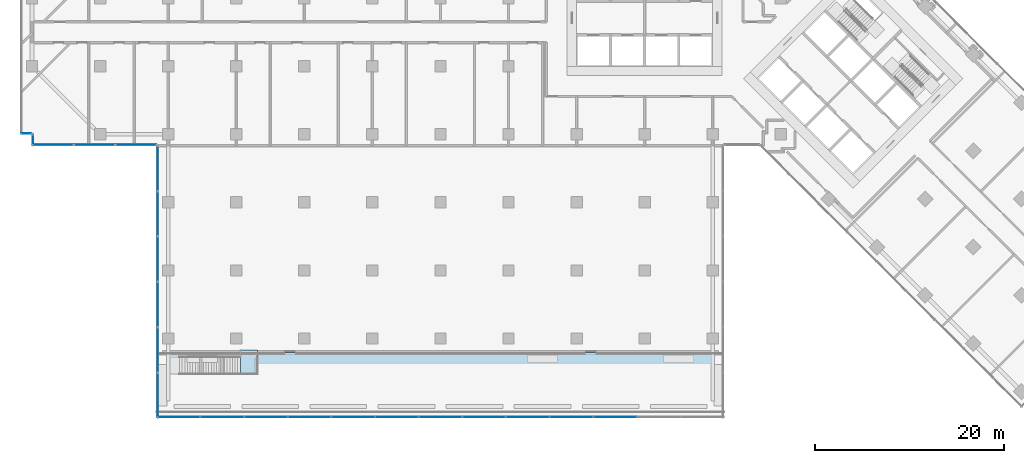
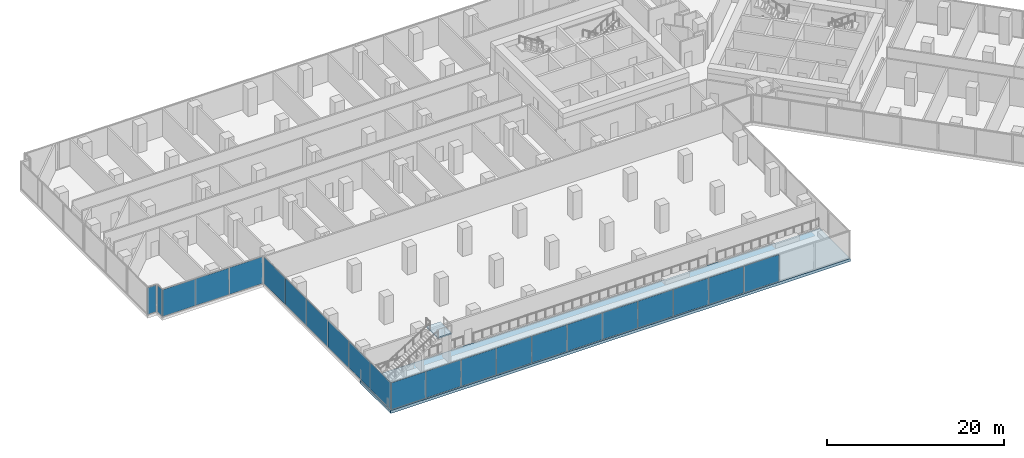
# One storey, part 15 of 27: 22 plates, 2 slabs, 6 elements without a shape of their own.
"""IFC4 building model written with IfcOpenShell, lengths in metres."""

from ifc_helpers import new_model, si_unit, direction, frame, origin, origin_2d, place, context, subcontext, project, spatial, polyline, rectangle, outline, extrude, material, layer, layer_set, type_object, element, aggregate, save


model = new_model("IFC4")

# Units and contexts
model_context = context("Model", 3, precision=1e-05, world=origin(), true_north=direction((0.0, 1.0)))
body_context = subcontext(model_context, "Body", "Model", "MODEL_VIEW")
ifc_project = project(units=[si_unit("LENGTHUNIT", "METRE"), si_unit("AREAUNIT", "SQUARE_METRE"), si_unit("VOLUMEUNIT", "CUBIC_METRE"), si_unit("PLANEANGLEUNIT", "RADIAN"), si_unit("MASSUNIT", "GRAM", prefix="KILO")], contexts=[model_context])

# Site, building, storey
site_placement = place(None, origin())
site = spatial("IfcSite", under=ifc_project, at=site_placement, CompositionType="ELEMENT")
building_placement = place(site_placement, origin())
building = spatial("IfcBuilding", under=site, at=building_placement, Name="Windrow Commons", CompositionType="ELEMENT")
storey_placement = place(building_placement, frame((0.0, 0.0, 6.0)))
storey = spatial("IfcBuildingStorey", under=building, at=storey_placement, Name="L01", CompositionType="ELEMENT", Elevation=6.0)

# Curtain wall, plate
ifc_material_1 = material(Name="Clear laminated glass in Aluminium 6063-T6 anodised frame", Category="aluminium")
curtain_wall_type = type_object("IfcCurtainWallType", Name="Curtain wall CW1 podium study hall", PredefinedType="USERDEFINED", material=ifc_material_1)
placement = place(storey_placement, origin())
curtain_wall_1 = element("IfcCurtainWall", 1, at=placement, inside=storey, type_object=curtain_wall_type, Name="Curtain wall CW1 L01 9", ObjectType="STICK", PredefinedType="USERDEFINED")
ifc_material_2 = material(Name="Clear laminated glass", Category="glass")
ifc_layer_1 = layer(ifc_material_2, 0.032)
ifc_layer_set_1 = layer_set([ifc_layer_1], Name="CW1 panel glass 32")
plate_type = type_object("IfcPlateType", Name="CW1 panel glass 32", PredefinedType="CURTAIN_PANEL", material=ifc_layer_set_1)
plate_1_placement = place(storey_placement, frame((-0.6, 43.3, 0.06), z_axis=(0.0, 0.0, 1.0), x_axis=(1.0, 0.0, 0.0)))
plate_1 = element("IfcPlate", 2, at=plate_1_placement, type_object=plate_type, Name="CW1 panel 1.1", PredefinedType="CURTAIN_PANEL", context=body_context, shape_type="SweptSolid", body=[
    extrude(rectangle(XDim=1.08, YDim=0.032, at=origin_2d()), origin(), (0.0, 0.0, 1.0), 3.68),
])
aggregate(curtain_wall_1, [plate_1])

curtain_wall_2 = element("IfcCurtainWall", 3, at=placement, inside=storey, type_object=curtain_wall_type, Name="Curtain wall CW1 L01 10", ObjectType="STICK", PredefinedType="USERDEFINED")
plate_2_placement = place(storey_placement, frame((0.1, 42.6, 0.06), z_axis=(0.0, 0.0, 1.0), x_axis=(0.0, -1.0, 0.0)))
plate_2 = element("IfcPlate", 4, at=plate_2_placement, type_object=plate_type, Name="CW1 panel 1.1", PredefinedType="CURTAIN_PANEL", context=body_context, shape_type="SweptSolid", body=[
    extrude(rectangle(XDim=1.08, YDim=0.032, at=origin_2d()), origin(), (0.0, 0.0, 1.0), 3.68),
])
aggregate(curtain_wall_2, [plate_2])

# Curtain wall, plates
curtain_wall_3 = element("IfcCurtainWall", 5, at=placement, inside=storey, type_object=curtain_wall_type, Name="Curtain wall CW1 L01 11", ObjectType="STICK", PredefinedType="USERDEFINED")
plate_3_placement = place(storey_placement, frame((2.215, 42.1, 0.06), z_axis=(0.0, 0.0, 1.0), x_axis=(1.0, 0.0, 0.0)))
plate_3 = element("IfcPlate", 6, at=plate_3_placement, type_object=plate_type, Name="CW1 panel 1.1", PredefinedType="CURTAIN_PANEL", context=body_context, shape_type="SweptSolid", body=[
    extrude(rectangle(XDim=4.31, YDim=0.032, at=origin_2d()), origin(), (0.0, 0.0, 1.0), 3.68),
])
plate_4_placement = place(storey_placement, frame((6.6, 42.1, 0.06), z_axis=(0.0, 0.0, 1.0), x_axis=(1.0, 0.0, 0.0)))
plate_4 = element("IfcPlate", 7, at=plate_4_placement, type_object=plate_type, Name="CW1 panel 2.1", PredefinedType="CURTAIN_PANEL", context=body_context, shape_type="SweptSolid", body=[
    extrude(rectangle(XDim=4.34, YDim=0.032, at=origin_2d()), origin(), (0.0, 0.0, 1.0), 3.68),
])
plate_5_placement = place(storey_placement, frame((10.985, 42.1, 0.06), z_axis=(0.0, 0.0, 1.0), x_axis=(1.0, 0.0, 0.0)))
plate_5 = element("IfcPlate", 8, at=plate_5_placement, type_object=plate_type, Name="CW1 panel 3.1", PredefinedType="CURTAIN_PANEL", context=body_context, shape_type="SweptSolid", body=[
    extrude(rectangle(XDim=4.31, YDim=0.032, at=origin_2d()), origin(), (0.0, 0.0, 1.0), 3.68),
])
aggregate(curtain_wall_3, [plate_3, plate_4, plate_5])

curtain_wall_4 = element("IfcCurtainWall", 9, at=placement, inside=storey, type_object=curtain_wall_type, Name="Curtain wall CW1 L01 12", ObjectType="STICK", PredefinedType="USERDEFINED")
plate_6_placement = place(storey_placement, frame((13.3, 39.585, 0.06), z_axis=(0.0, 0.0, 1.0), x_axis=(0.0, -1.0, 0.0)))
plate_6 = element("IfcPlate", 10, at=plate_6_placement, type_object=plate_type, Name="CW1 panel 1.1", PredefinedType="CURTAIN_PANEL", context=body_context, shape_type="SweptSolid", body=[
    extrude(rectangle(XDim=4.71, YDim=0.032, at=origin_2d()), origin(), (0.0, 0.0, 1.0), 3.68),
])
plate_7_placement = place(storey_placement, frame((13.3, 34.8, 0.06), z_axis=(0.0, 0.0, 1.0), x_axis=(0.0, -1.0, 0.0)))
plate_7 = element("IfcPlate", 11, at=plate_7_placement, type_object=plate_type, Name="CW1 panel 2.1", PredefinedType="CURTAIN_PANEL", context=body_context, shape_type="SweptSolid", body=[
    extrude(rectangle(XDim=4.74, YDim=0.032, at=origin_2d()), origin(), (0.0, 0.0, 1.0), 3.68),
])
plate_8_placement = place(storey_placement, frame((13.3, 30.0, 0.06), z_axis=(0.0, 0.0, 1.0), x_axis=(0.0, -1.0, 0.0)))
plate_8 = element("IfcPlate", 12, at=plate_8_placement, type_object=plate_type, Name="CW1 panel 3.1", PredefinedType="CURTAIN_PANEL", context=body_context, shape_type="SweptSolid", body=[
    extrude(rectangle(XDim=4.74, YDim=0.032, at=origin_2d()), origin(), (0.0, 0.0, 1.0), 3.68),
])
plate_9_placement = place(storey_placement, frame((13.3, 25.2, 0.06), z_axis=(0.0, 0.0, 1.0), x_axis=(0.0, -1.0, 0.0)))
plate_9 = element("IfcPlate", 13, at=plate_9_placement, type_object=plate_type, Name="CW1 panel 4.1", PredefinedType="CURTAIN_PANEL", context=body_context, shape_type="SweptSolid", body=[
    extrude(rectangle(XDim=4.74, YDim=0.032, at=origin_2d()), origin(), (0.0, 0.0, 1.0), 3.68),
])
plate_10_placement = place(storey_placement, frame((13.3, 20.4, 0.06), z_axis=(0.0, 0.0, 1.0), x_axis=(0.0, -1.0, 0.0)))
plate_10 = element("IfcPlate", 14, at=plate_10_placement, type_object=plate_type, Name="CW1 panel 5.1", PredefinedType="CURTAIN_PANEL", context=body_context, shape_type="SweptSolid", body=[
    extrude(rectangle(XDim=4.74, YDim=0.032, at=origin_2d()), origin(), (0.0, 0.0, 1.0), 3.68),
])
plate_11_placement = place(storey_placement, frame((13.3, 15.615, 0.06), z_axis=(0.0, 0.0, 1.0), x_axis=(0.0, -1.0, 0.0)))
plate_11 = element("IfcPlate", 15, at=plate_11_placement, type_object=plate_type, Name="CW1 panel 6.1", PredefinedType="CURTAIN_PANEL", context=body_context, shape_type="SweptSolid", body=[
    extrude(rectangle(XDim=4.71, YDim=0.032, at=origin_2d()), origin(), (0.0, 0.0, 1.0), 3.68),
])
aggregate(curtain_wall_4, [plate_6, plate_7, plate_8, plate_9, plate_10, plate_11])

curtain_wall_5 = element("IfcCurtainWall", 16, at=placement, inside=storey, type_object=curtain_wall_type, Name="Curtain wall CW1 L01 13", ObjectType="STICK", PredefinedType="USERDEFINED")
plate_12_placement = place(storey_placement, frame((15.5227, 13.3, 0.06), z_axis=(0.0, 0.0, 1.0), x_axis=(1.0, 0.0, 0.0)))
plate_12 = element("IfcPlate", 17, at=plate_12_placement, type_object=plate_type, Name="CW1 panel 1.1", PredefinedType="CURTAIN_PANEL", context=body_context, shape_type="SweptSolid", body=[
    extrude(rectangle(XDim=4.5254, YDim=0.032, at=origin_2d()), origin(), (0.0, 0.0, 1.0), 3.68),
])
plate_13_placement = place(storey_placement, frame((20.1231, 13.3, 0.06), z_axis=(0.0, 0.0, 1.0), x_axis=(1.0, 0.0, 0.0)))
plate_13 = element("IfcPlate", 18, at=plate_13_placement, type_object=plate_type, Name="CW1 panel 2.1", PredefinedType="CURTAIN_PANEL", context=body_context, shape_type="SweptSolid", body=[
    extrude(rectangle(XDim=4.5554, YDim=0.032, at=origin_2d()), origin(), (0.0, 0.0, 1.0), 3.68),
])
plate_14_placement = place(storey_placement, frame((24.7385, 13.3, 0.06), z_axis=(0.0, 0.0, 1.0), x_axis=(1.0, 0.0, 0.0)))
plate_14 = element("IfcPlate", 19, at=plate_14_placement, type_object=plate_type, Name="CW1 panel 3.1", PredefinedType="CURTAIN_PANEL", context=body_context, shape_type="SweptSolid", body=[
    extrude(rectangle(XDim=4.5554, YDim=0.032, at=origin_2d()), origin(), (0.0, 0.0, 1.0), 3.68),
])
plate_15_placement = place(storey_placement, frame((29.3538, 13.3, 0.06), z_axis=(0.0, 0.0, 1.0), x_axis=(1.0, 0.0, 0.0)))
plate_15 = element("IfcPlate", 20, at=plate_15_placement, type_object=plate_type, Name="CW1 panel 4.1", PredefinedType="CURTAIN_PANEL", context=body_context, shape_type="SweptSolid", body=[
    extrude(rectangle(XDim=4.5554, YDim=0.032, at=origin_2d()), origin(), (0.0, 0.0, 1.0), 3.68),
])
plate_16_placement = place(storey_placement, frame((33.9692, 13.3, 0.06), z_axis=(0.0, 0.0, 1.0), x_axis=(1.0, 0.0, 0.0)))
plate_16 = element("IfcPlate", 21, at=plate_16_placement, type_object=plate_type, Name="CW1 panel 5.1", PredefinedType="CURTAIN_PANEL", context=body_context, shape_type="SweptSolid", body=[
    extrude(rectangle(XDim=4.5554, YDim=0.032, at=origin_2d()), origin(), (0.0, 0.0, 1.0), 3.68),
])
plate_17_placement = place(storey_placement, frame((38.5846, 13.3, 0.06), z_axis=(0.0, 0.0, 1.0), x_axis=(1.0, 0.0, 0.0)))
plate_17 = element("IfcPlate", 22, at=plate_17_placement, type_object=plate_type, Name="CW1 panel 6.1", PredefinedType="CURTAIN_PANEL", context=body_context, shape_type="SweptSolid", body=[
    extrude(rectangle(XDim=4.5554, YDim=0.032, at=origin_2d()), origin(), (0.0, 0.0, 1.0), 3.68),
])
plate_18_placement = place(storey_placement, frame((43.2, 13.3, 0.06), z_axis=(0.0, 0.0, 1.0), x_axis=(1.0, 0.0, 0.0)))
plate_18 = element("IfcPlate", 23, at=plate_18_placement, type_object=plate_type, Name="CW1 panel 7.1", PredefinedType="CURTAIN_PANEL", context=body_context, shape_type="SweptSolid", body=[
    extrude(rectangle(XDim=4.5554, YDim=0.032, at=origin_2d()), origin(), (0.0, 0.0, 1.0), 3.68),
])
plate_19_placement = place(storey_placement, frame((47.8154, 13.3, 0.06), z_axis=(0.0, 0.0, 1.0), x_axis=(1.0, 0.0, 0.0)))
plate_19 = element("IfcPlate", 24, at=plate_19_placement, type_object=plate_type, Name="CW1 panel 8.1", PredefinedType="CURTAIN_PANEL", context=body_context, shape_type="SweptSolid", body=[
    extrude(rectangle(XDim=4.5554, YDim=0.032, at=origin_2d()), origin(), (0.0, 0.0, 1.0), 3.68),
])
plate_20_placement = place(storey_placement, frame((52.4308, 13.3, 0.06), z_axis=(0.0, 0.0, 1.0), x_axis=(1.0, 0.0, 0.0)))
plate_20 = element("IfcPlate", 25, at=plate_20_placement, type_object=plate_type, Name="CW1 panel 9.1", PredefinedType="CURTAIN_PANEL", context=body_context, shape_type="SweptSolid", body=[
    extrude(rectangle(XDim=4.5554, YDim=0.032, at=origin_2d()), origin(), (0.0, 0.0, 1.0), 3.68),
])
plate_21_placement = place(storey_placement, frame((57.0462, 13.3, 0.06), z_axis=(0.0, 0.0, 1.0), x_axis=(1.0, 0.0, 0.0)))
plate_21 = element("IfcPlate", 26, at=plate_21_placement, type_object=plate_type, Name="CW1 panel 10.1", PredefinedType="CURTAIN_PANEL", context=body_context, shape_type="SweptSolid", body=[
    extrude(rectangle(XDim=4.5554, YDim=0.032, at=origin_2d()), origin(), (0.0, 0.0, 1.0), 3.68),
])
plate_22_placement = place(storey_placement, frame((61.6615, 13.3, 0.06), z_axis=(0.0, 0.0, 1.0), x_axis=(1.0, 0.0, 0.0)))
plate_22 = element("IfcPlate", 27, at=plate_22_placement, type_object=plate_type, Name="CW1 panel 11.1", PredefinedType="CURTAIN_PANEL", context=body_context, shape_type="SweptSolid", body=[
    extrude(rectangle(XDim=4.5554, YDim=0.032, at=origin_2d()), origin(), (0.0, 0.0, 1.0), 3.68),
])
aggregate(curtain_wall_5, [plate_12, plate_13, plate_14, plate_15, plate_16, plate_17, plate_18, plate_19, plate_20, plate_21, plate_22])

# Slab
ifc_material_3 = material(Name="Concrete C60/75", Category="concrete")
ifc_layer_2 = layer(ifc_material_3, 0.4)
ifc_layer_set_2 = layer_set([ifc_layer_2], Name="TERRACE SLAB 400 C60/75")
slab_type_1 = type_object("IfcSlabType", Name="TERRACE SLAB 400 C60/75", PredefinedType="FLOOR", material=ifc_layer_set_2)
slab_1_placement = place(storey_placement, frame((0.0, 0.0, -0.4)))
element("IfcSlab", 28, at=slab_1_placement, inside=storey, type_object=slab_type_1, Name="Terrace slab TR-L01-1", PredefinedType="FLOOR", context=body_context, shape_type="SweptSolid", body=[
    extrude(outline(polyline([(13.2, 13.2), (73.2, 13.2), (73.2, 20.1), (13.2, 20.1), (13.2, 13.2)])), origin(), (0.0, 0.0, 1.0), 0.4),
])

# Stair, slab
ifc_material_4 = material(Name="Concrete C40/50", Category="concrete")
stair_type = type_object("IfcStairType", Name="Terrace public stair", PredefinedType="STRAIGHT_RUN_STAIR", material=ifc_material_4)
stair = element("IfcStair", 29, at=placement, inside=storey, type_object=stair_type, Name="Public stair L01 to L02", PredefinedType="STRAIGHT_RUN_STAIR")
ifc_material_5 = material(Name="Concrete C40/50", Category="concrete")
ifc_layer_3 = layer(ifc_material_5, 0.2)
ifc_layer_set_3 = layer_set([ifc_layer_3], Name="Terrace public stair landing")
slab_type_2 = type_object("IfcSlabType", Name="Terrace public stair landing", PredefinedType="LANDING", material=ifc_layer_set_3)
slab_2_placement = place(storey_placement, frame((0.0, 0.0, 4.0)))
slab_2 = element("IfcSlab", 30, at=slab_2_placement, type_object=slab_type_2, Name="TST landing 1", PredefinedType="LANDING", context=body_context, shape_type="SweptSolid", body=[
    extrude(outline(polyline([(22.04, 20.4), (23.84, 20.4), (23.84, 17.85), (22.04, 17.85), (22.04, 20.4)])), origin(), (0.0, 0.0, 1.0), 0.2),
])
aggregate(stair, [slab_2])

save(model, "model.ifc")
